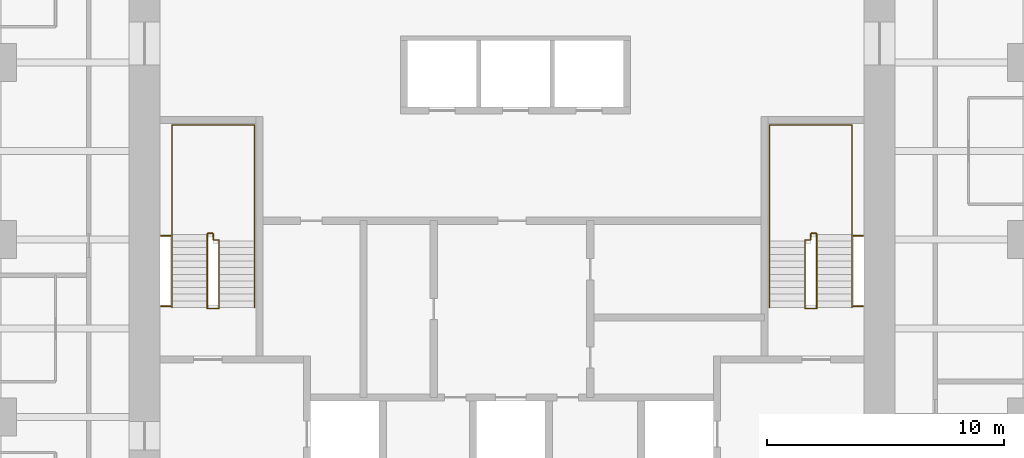
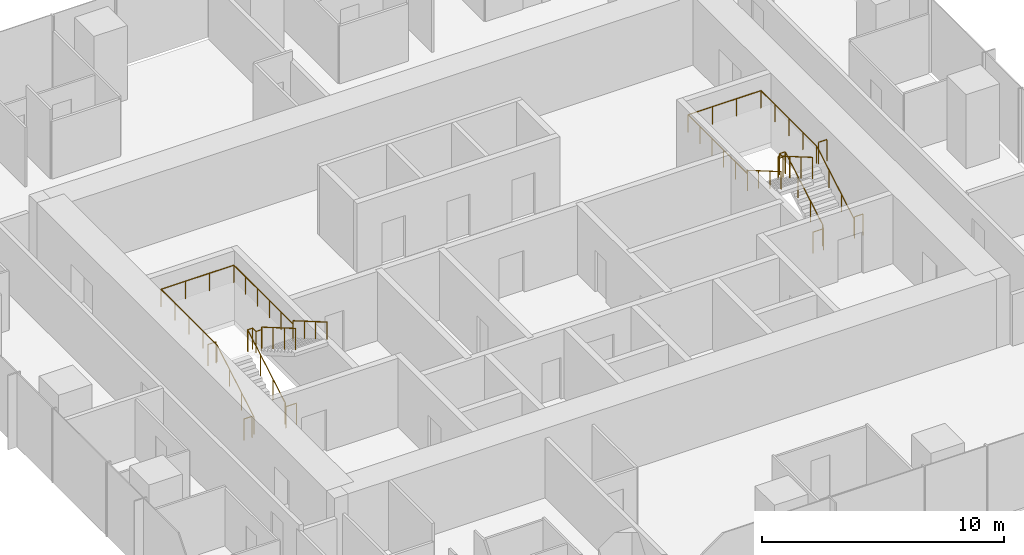
# One storey, part 12 of 12: 8 railings.
"""IFC4 building model written with IfcOpenShell, lengths in metres."""

from ifc_helpers import new_model, si_unit, direction, frame, origin, origin_2d, place, context, subcontext, project, spatial, circle, extrude, material, type_object, element, save


model = new_model("IFC4")

# Units and contexts
model_context = context("Model", 3, precision=1e-05, world=origin(), true_north=direction((0.0, 1.0)))
body_context = subcontext(model_context, "Body", "Model", "MODEL_VIEW")
ifc_project = project(units=[si_unit("LENGTHUNIT", "METRE"), si_unit("AREAUNIT", "SQUARE_METRE"), si_unit("VOLUMEUNIT", "CUBIC_METRE"), si_unit("PLANEANGLEUNIT", "RADIAN"), si_unit("MASSUNIT", "GRAM", prefix="KILO")], contexts=[model_context])

# Site, building, storey
site_placement = place(None, origin())
site = spatial("IfcSite", under=ifc_project, at=site_placement, CompositionType="ELEMENT")
building_placement = place(site_placement, origin())
building = spatial("IfcBuilding", under=site, at=building_placement, Name="Khuree Lantern Residences", CompositionType="ELEMENT")
storey_placement = place(building_placement, frame((0.0, 0.0, 334.5)))
storey = spatial("IfcBuildingStorey", under=building, at=storey_placement, Name="L84", CompositionType="ELEMENT", Elevation=334.5)

# Railings
ifc_material = material(Name="Steel S355", Category="steel")
railing_type_1 = type_object("IfcRailingType", Name="STAIR GUARD G1 1100", PredefinedType="GUARDRAIL", material=ifc_material)
railing_1_placement = place(storey_placement, frame((-12.35009765625, -2.909912109375, 0.0)))
element("IfcRailing", 1, at=railing_1_placement, inside=storey, type_object=railing_type_1, Name="Stair ST1 guard", PredefinedType="GUARDRAIL", context=body_context, shape_type="SweptSolid", body=[
    extrude(circle(Radius=0.02392578125, at=origin_2d()), frame((0.0, 0.0, 1.076171875), z_axis=(-1.0, 0.0, 0.0), x_axis=(0.0, -1.0, 0.0)), (0.0, 0.0, 1.0), 0.5),
    extrude(circle(Radius=0.02392578125, at=origin_2d()), frame((-0.5, 0.0, 1.076171875), z_axis=(0.0, 0.292073035251, 0.95639601739), x_axis=(-1.0, 0.0, 0.0)), (0.0, 0.0, 1.0), 0.17041015625),
    extrude(circle(Radius=0.02392578125, at=origin_2d()), frame((-0.5, 0.0498046875, 1.2392578125), z_axis=(0.0, 0.864176135923, 0.503189433615), x_axis=(-1.0, 0.0, 0.0)), (0.0, 0.0, 1.0), 3.564208984375),
    extrude(circle(Radius=0.02392578125, at=origin_2d()), frame((-0.5, 3.1298828125, 3.03271484375), z_axis=(0.0, 1.0, 0.0), x_axis=(-1.0, 0.0, 0.0)), (0.0, 0.0, 1.0), 0.050048828125),
    extrude(circle(Radius=0.02392578125, at=origin_2d()), frame((-0.5, 3.179931640625, 3.03271484375), z_axis=(1.0, 0.0, 0.0), x_axis=(0.0, 1.0, 0.0)), (0.0, 0.0, 1.0), 0.25),
    extrude(circle(Radius=0.02392578125, at=origin_2d()), frame((-0.25, 3.179931640625, 3.03271484375), z_axis=(0.0, -1.0, 0.0), x_axis=(1.0, 0.0, 0.0)), (0.0, 0.0, 1.0), 0.280029296875),
    extrude(circle(Radius=0.02392578125, at=origin_2d()), frame((-0.25, 2.89990234375, 3.03271484375), z_axis=(1.0, 0.0, 0.0), x_axis=(0.0, 1.0, 0.0)), (0.0, 0.0, 1.0), 0.25),
    extrude(circle(Radius=0.02392578125, at=origin_2d()), frame((0.0, 2.89990234375, 3.03271484375), z_axis=(0.0, -0.293381807449, 0.955995353053), x_axis=(1.0, 0.0, 0.0)), (0.0, 0.0, 1.0), 0.170654296875),
    extrude(circle(Radius=0.02392578125, at=origin_2d()), frame((0.0, 2.849853515625, 3.19580078125), z_axis=(0.0, -0.864180358799, 0.503182181189), x_axis=(1.0, 0.0, 0.0)), (0.0, 0.0, 1.0), 3.240234375),
    extrude(circle(Radius=0.02099609375, at=origin_2d()), origin(), (0.0, 0.0, 1.0), 1.052001953125),
    extrude(circle(Radius=0.02099609375, at=origin_2d()), frame((-0.5, 0.0, 0.0)), (0.0, 0.0, 1.0), 1.052001953125),
    extrude(circle(Radius=0.02099609375, at=origin_2d()), frame((-0.5, 0.0498046875, 0.1630859375)), (0.0, 0.0, 1.0), 1.052001953125),
    extrude(circle(Radius=0.02099609375, at=origin_2d()), frame((-0.5, 1.076416015625, 0.760986328125)), (0.0, 0.0, 1.0), 1.052001953125),
    extrude(circle(Radius=0.02099609375, at=origin_2d()), frame((-0.5, 2.103271484375, 1.358642578125)), (0.0, 0.0, 1.0), 1.052001953125),
    extrude(circle(Radius=0.02099609375, at=origin_2d()), frame((-0.5, 3.1298828125, 1.95654296875)), (0.0, 0.0, 1.0), 1.052001953125),
    extrude(circle(Radius=0.02099609375, at=origin_2d()), frame((-0.5, 3.179931640625, 1.95654296875)), (0.0, 0.0, 1.0), 1.052001953125),
    extrude(circle(Radius=0.02099609375, at=origin_2d()), frame((-0.25, 3.179931640625, 1.95654296875)), (0.0, 0.0, 1.0), 1.052001953125),
    extrude(circle(Radius=0.02099609375, at=origin_2d()), frame((-0.25, 2.89990234375, 1.95654296875)), (0.0, 0.0, 1.0), 1.052001953125),
    extrude(circle(Radius=0.02099609375, at=origin_2d()), frame((0.0, 2.89990234375, 1.95654296875)), (0.0, 0.0, 1.0), 1.052001953125),
    extrude(circle(Radius=0.02099609375, at=origin_2d()), frame((0.0, 2.849853515625, 2.11962890625)), (0.0, 0.0, 1.0), 1.052001953125),
    extrude(circle(Radius=0.02099609375, at=origin_2d()), frame((0.0, 1.91650390625, 2.6630859375)), (0.0, 0.0, 1.0), 1.052001953125),
    extrude(circle(Radius=0.02099609375, at=origin_2d()), frame((0.0, 0.983154296875, 3.20654296875)), (0.0, 0.0, 1.0), 1.052001953125),
    extrude(circle(Radius=0.02099609375, at=origin_2d()), frame((0.0, 0.0498046875, 3.75)), (0.0, 0.0, 1.0), 1.052001953125),
])
for number, where, name in (
    (2, (-14.800048828125, -2.81005859375, 0.0), "Stair ST1 landing slot guard"),
    (3, (-14.800048828125, 0.169921875, 1.95654296875), "Stair ST1 landing slot guard"),
):
    element("IfcRailing", number, at=place(storey_placement, frame(where)), inside=storey, type_object=railing_type_1, Name=name, PredefinedType="GUARDRAIL", context=body_context, shape_type="SweptSolid", body=[
        extrude(circle(Radius=0.02392578125, at=origin_2d()), frame((0.0, 0.0, 1.076171875), z_axis=(1.0, 0.0, 0.0), x_axis=(0.0, 1.0, 0.0)), (0.0, 0.0, 1.0), 0.400146484375),
        extrude(circle(Radius=0.02099609375, at=origin_2d()), origin(), (0.0, 0.0, 1.0), 1.052001953125),
        extrude(circle(Radius=0.02099609375, at=origin_2d()), frame((0.400146484375, 0.0, 0.0)), (0.0, 0.0, 1.0), 1.052001953125),
    ])
railing_2_placement = place(storey_placement, frame((12.35009765625, -2.909912109375, 0.0)))
element("IfcRailing", 4, at=railing_2_placement, inside=storey, type_object=railing_type_1, Name="Stair ST2 guard", PredefinedType="GUARDRAIL", context=body_context, shape_type="SweptSolid", body=[
    extrude(circle(Radius=0.02392578125, at=origin_2d()), frame((0.0, 0.0, 1.076171875), z_axis=(1.0, 0.0, 0.0), x_axis=(0.0, 1.0, 0.0)), (0.0, 0.0, 1.0), 0.5),
    extrude(circle(Radius=0.02392578125, at=origin_2d()), frame((0.5, 0.0, 1.076171875), z_axis=(0.0, 0.292073035251, 0.95639601739), x_axis=(-1.0, 0.0, 0.0)), (0.0, 0.0, 1.0), 0.17041015625),
    extrude(circle(Radius=0.02392578125, at=origin_2d()), frame((0.5, 0.0498046875, 1.2392578125), z_axis=(0.0, 0.864176135923, 0.503189433615), x_axis=(-1.0, 0.0, 0.0)), (0.0, 0.0, 1.0), 3.564208984375),
    extrude(circle(Radius=0.02392578125, at=origin_2d()), frame((0.5, 3.1298828125, 3.03271484375), z_axis=(0.0, 1.0, 0.0), x_axis=(-1.0, 0.0, 0.0)), (0.0, 0.0, 1.0), 0.050048828125),
    extrude(circle(Radius=0.02392578125, at=origin_2d()), frame((0.5, 3.179931640625, 3.03271484375), z_axis=(-1.0, 0.0, 0.0), x_axis=(0.0, -1.0, 0.0)), (0.0, 0.0, 1.0), 0.25),
    extrude(circle(Radius=0.02392578125, at=origin_2d()), frame((0.25, 3.179931640625, 3.03271484375), z_axis=(0.0, -1.0, 0.0), x_axis=(1.0, 0.0, 0.0)), (0.0, 0.0, 1.0), 0.280029296875),
    extrude(circle(Radius=0.02392578125, at=origin_2d()), frame((0.25, 2.89990234375, 3.03271484375), z_axis=(-1.0, 0.0, 0.0), x_axis=(0.0, -1.0, 0.0)), (0.0, 0.0, 1.0), 0.25),
    extrude(circle(Radius=0.02392578125, at=origin_2d()), frame((0.0, 2.89990234375, 3.03271484375), z_axis=(0.0, -0.293381807449, 0.955995353053), x_axis=(1.0, 0.0, 0.0)), (0.0, 0.0, 1.0), 0.170654296875),
    extrude(circle(Radius=0.02392578125, at=origin_2d()), frame((0.0, 2.849853515625, 3.19580078125), z_axis=(0.0, -0.864180358799, 0.503182181189), x_axis=(1.0, 0.0, 0.0)), (0.0, 0.0, 1.0), 3.240234375),
    extrude(circle(Radius=0.02099609375, at=origin_2d()), origin(), (0.0, 0.0, 1.0), 1.052001953125),
    extrude(circle(Radius=0.02099609375, at=origin_2d()), frame((0.5, 0.0, 0.0)), (0.0, 0.0, 1.0), 1.052001953125),
    extrude(circle(Radius=0.02099609375, at=origin_2d()), frame((0.5, 0.0498046875, 0.1630859375)), (0.0, 0.0, 1.0), 1.052001953125),
    extrude(circle(Radius=0.02099609375, at=origin_2d()), frame((0.5, 1.076416015625, 0.760986328125)), (0.0, 0.0, 1.0), 1.052001953125),
    extrude(circle(Radius=0.02099609375, at=origin_2d()), frame((0.5, 2.103271484375, 1.358642578125)), (0.0, 0.0, 1.0), 1.052001953125),
    extrude(circle(Radius=0.02099609375, at=origin_2d()), frame((0.5, 3.1298828125, 1.95654296875)), (0.0, 0.0, 1.0), 1.052001953125),
    extrude(circle(Radius=0.02099609375, at=origin_2d()), frame((0.5, 3.179931640625, 1.95654296875)), (0.0, 0.0, 1.0), 1.052001953125),
    extrude(circle(Radius=0.02099609375, at=origin_2d()), frame((0.25, 3.179931640625, 1.95654296875)), (0.0, 0.0, 1.0), 1.052001953125),
    extrude(circle(Radius=0.02099609375, at=origin_2d()), frame((0.25, 2.89990234375, 1.95654296875)), (0.0, 0.0, 1.0), 1.052001953125),
    extrude(circle(Radius=0.02099609375, at=origin_2d()), frame((0.0, 2.89990234375, 1.95654296875)), (0.0, 0.0, 1.0), 1.052001953125),
    extrude(circle(Radius=0.02099609375, at=origin_2d()), frame((0.0, 2.849853515625, 2.11962890625)), (0.0, 0.0, 1.0), 1.052001953125),
    extrude(circle(Radius=0.02099609375, at=origin_2d()), frame((0.0, 1.91650390625, 2.6630859375)), (0.0, 0.0, 1.0), 1.052001953125),
    extrude(circle(Radius=0.02099609375, at=origin_2d()), frame((0.0, 0.983154296875, 3.20654296875)), (0.0, 0.0, 1.0), 1.052001953125),
    extrude(circle(Radius=0.02099609375, at=origin_2d()), frame((0.0, 0.0498046875, 3.75)), (0.0, 0.0, 1.0), 1.052001953125),
])
for number, where, name in (
    (5, (14.800048828125, -2.81005859375, 0.0), "Stair ST2 landing slot guard"),
    (6, (14.800048828125, 0.169921875, 1.95654296875), "Stair ST2 landing slot guard"),
):
    element("IfcRailing", number, at=place(storey_placement, frame(where)), inside=storey, type_object=railing_type_1, Name=name, PredefinedType="GUARDRAIL", context=body_context, shape_type="SweptSolid", body=[
        extrude(circle(Radius=0.02392578125, at=origin_2d()), frame((0.0, 0.0, 1.076171875), z_axis=(-1.0, 0.0, 0.0), x_axis=(0.0, -1.0, 0.0)), (0.0, 0.0, 1.0), 0.400146484375),
        extrude(circle(Radius=0.02099609375, at=origin_2d()), origin(), (0.0, 0.0, 1.0), 1.052001953125),
        extrude(circle(Radius=0.02099609375, at=origin_2d()), frame((-0.400146484375, 0.0, 0.0)), (0.0, 0.0, 1.0), 1.052001953125),
    ])
railing_type_2 = type_object("IfcRailingType", Name="STAIR HANDRAIL H1 900", PredefinedType="HANDRAIL", material=ifc_material)
railing_3_placement = place(storey_placement, frame((-14.340087890625, -2.860107421875, 0.1630859375)))
element("IfcRailing", 7, at=railing_3_placement, inside=storey, type_object=railing_type_2, Name="Stair ST1 handrail", PredefinedType="HANDRAIL", context=body_context, shape_type="SweptSolid", body=[
    extrude(circle(Radius=0.02392578125, at=origin_2d()), frame((0.0, 0.0, 0.8759765625), z_axis=(0.0, 0.864176135923, 0.503189433615), x_axis=(-1.0, 0.0, 0.0)), (0.0, 0.0, 1.0), 3.564208984375),
    extrude(circle(Radius=0.02392578125, at=origin_2d()), frame((0.0, 3.080078125, 2.66943359375), z_axis=(0.0, 1.0, 0.0), x_axis=(-1.0, 0.0, 0.0)), (0.0, 0.0, 1.0), 4.6201171875),
    extrude(circle(Radius=0.02392578125, at=origin_2d()), frame((0.0, 7.7001953125, 2.66943359375), z_axis=(1.0, 0.0, 0.0), x_axis=(0.0, 1.0, 0.0)), (0.0, 0.0, 1.0), 3.47998046875),
    extrude(circle(Radius=0.02392578125, at=origin_2d()), frame((3.47998046875, 7.7001953125, 2.66943359375), z_axis=(0.0, -1.0, 0.0), x_axis=(1.0, 0.0, 0.0)), (0.0, 0.0, 1.0), 4.900146484375),
    extrude(circle(Radius=0.02392578125, at=origin_2d()), frame((3.47998046875, 2.800048828125, 2.66943359375), z_axis=(0.0, 0.0, 1.0), x_axis=(1.0, 0.0, 0.0)), (0.0, 0.0, 1.0), 0.1630859375),
    extrude(circle(Radius=0.02392578125, at=origin_2d()), frame((3.47998046875, 2.800048828125, 2.83251953125), z_axis=(0.0, -0.864180358799, 0.503182181189), x_axis=(1.0, 0.0, 0.0)), (0.0, 0.0, 1.0), 3.240234375),
    extrude(circle(Radius=0.02099609375, at=origin_2d()), origin(), (0.0, 0.0, 1.0), 0.851806640625),
    extrude(circle(Radius=0.02099609375, at=origin_2d()), frame((0.0, 1.026611328125, 0.597900390625)), (0.0, 0.0, 1.0), 0.851806640625),
    extrude(circle(Radius=0.02099609375, at=origin_2d()), frame((0.0, 2.053466796875, 1.195556640625)), (0.0, 0.0, 1.0), 0.851806640625),
    extrude(circle(Radius=0.02099609375, at=origin_2d()), frame((0.0, 3.080078125, 1.79345703125)), (0.0, 0.0, 1.0), 0.851806640625),
    extrude(circle(Radius=0.02099609375, at=origin_2d()), frame((0.0, 4.235107421875, 1.79345703125)), (0.0, 0.0, 1.0), 0.851806640625),
    extrude(circle(Radius=0.02099609375, at=origin_2d()), frame((0.0, 5.39013671875, 1.79345703125)), (0.0, 0.0, 1.0), 0.851806640625),
    extrude(circle(Radius=0.02099609375, at=origin_2d()), frame((0.0, 6.545166015625, 1.79345703125)), (0.0, 0.0, 1.0), 0.851806640625),
    extrude(circle(Radius=0.02099609375, at=origin_2d()), frame((0.0, 7.7001953125, 1.79345703125)), (0.0, 0.0, 1.0), 0.851806640625),
    extrude(circle(Radius=0.02099609375, at=origin_2d()), frame((1.159912109375, 7.7001953125, 1.79345703125)), (0.0, 0.0, 1.0), 0.851806640625),
    extrude(circle(Radius=0.02099609375, at=origin_2d()), frame((2.320068359375, 7.7001953125, 1.79345703125)), (0.0, 0.0, 1.0), 0.851806640625),
    extrude(circle(Radius=0.02099609375, at=origin_2d()), frame((3.47998046875, 7.7001953125, 1.79345703125)), (0.0, 0.0, 1.0), 0.851806640625),
    extrude(circle(Radius=0.02099609375, at=origin_2d()), frame((3.47998046875, 6.72021484375, 1.79345703125)), (0.0, 0.0, 1.0), 0.851806640625),
    extrude(circle(Radius=0.02099609375, at=origin_2d()), frame((3.47998046875, 5.740234375, 1.79345703125)), (0.0, 0.0, 1.0), 0.851806640625),
    extrude(circle(Radius=0.02099609375, at=origin_2d()), frame((3.47998046875, 4.760009765625, 1.79345703125)), (0.0, 0.0, 1.0), 0.851806640625),
    extrude(circle(Radius=0.02099609375, at=origin_2d()), frame((3.47998046875, 3.780029296875, 1.79345703125)), (0.0, 0.0, 1.0), 0.851806640625),
    extrude(circle(Radius=0.02099609375, at=origin_2d()), frame((3.47998046875, 2.800048828125, 1.79345703125)), (0.0, 0.0, 1.0), 0.851806640625),
    extrude(circle(Radius=0.02099609375, at=origin_2d()), frame((3.47998046875, 2.800048828125, 1.95654296875)), (0.0, 0.0, 1.0), 0.851806640625),
    extrude(circle(Radius=0.02099609375, at=origin_2d()), frame((3.47998046875, 1.86669921875, 2.5)), (0.0, 0.0, 1.0), 0.851806640625),
    extrude(circle(Radius=0.02099609375, at=origin_2d()), frame((3.47998046875, 0.933349609375, 3.04345703125)), (0.0, 0.0, 1.0), 0.851806640625),
    extrude(circle(Radius=0.02099609375, at=origin_2d()), frame((3.47998046875, 0.0, 3.5869140625)), (0.0, 0.0, 1.0), 0.851806640625),
])
railing_4_placement = place(storey_placement, frame((14.340087890625, -2.860107421875, 0.1630859375)))
element("IfcRailing", 8, at=railing_4_placement, inside=storey, type_object=railing_type_2, Name="Stair ST2 handrail", PredefinedType="HANDRAIL", context=body_context, shape_type="SweptSolid", body=[
    extrude(circle(Radius=0.02392578125, at=origin_2d()), frame((0.0, 0.0, 0.8759765625), z_axis=(0.0, 0.864176135923, 0.503189433615), x_axis=(-1.0, 0.0, 0.0)), (0.0, 0.0, 1.0), 3.564208984375),
    extrude(circle(Radius=0.02392578125, at=origin_2d()), frame((0.0, 3.080078125, 2.66943359375), z_axis=(0.0, 1.0, 0.0), x_axis=(-1.0, 0.0, 0.0)), (0.0, 0.0, 1.0), 4.6201171875),
    extrude(circle(Radius=0.02392578125, at=origin_2d()), frame((0.0, 7.7001953125, 2.66943359375), z_axis=(-1.0, 0.0, 0.0), x_axis=(0.0, -1.0, 0.0)), (0.0, 0.0, 1.0), 3.47998046875),
    extrude(circle(Radius=0.02392578125, at=origin_2d()), frame((-3.47998046875, 7.7001953125, 2.66943359375), z_axis=(0.0, -1.0, 0.0), x_axis=(1.0, 0.0, 0.0)), (0.0, 0.0, 1.0), 4.900146484375),
    extrude(circle(Radius=0.02392578125, at=origin_2d()), frame((-3.47998046875, 2.800048828125, 2.66943359375), z_axis=(0.0, 0.0, 1.0), x_axis=(1.0, 0.0, 0.0)), (0.0, 0.0, 1.0), 0.1630859375),
    extrude(circle(Radius=0.02392578125, at=origin_2d()), frame((-3.47998046875, 2.800048828125, 2.83251953125), z_axis=(0.0, -0.864180358799, 0.503182181189), x_axis=(1.0, 0.0, 0.0)), (0.0, 0.0, 1.0), 3.240234375),
    extrude(circle(Radius=0.02099609375, at=origin_2d()), origin(), (0.0, 0.0, 1.0), 0.851806640625),
    extrude(circle(Radius=0.02099609375, at=origin_2d()), frame((0.0, 1.026611328125, 0.597900390625)), (0.0, 0.0, 1.0), 0.851806640625),
    extrude(circle(Radius=0.02099609375, at=origin_2d()), frame((0.0, 2.053466796875, 1.195556640625)), (0.0, 0.0, 1.0), 0.851806640625),
    extrude(circle(Radius=0.02099609375, at=origin_2d()), frame((0.0, 3.080078125, 1.79345703125)), (0.0, 0.0, 1.0), 0.851806640625),
    extrude(circle(Radius=0.02099609375, at=origin_2d()), frame((0.0, 4.235107421875, 1.79345703125)), (0.0, 0.0, 1.0), 0.851806640625),
    extrude(circle(Radius=0.02099609375, at=origin_2d()), frame((0.0, 5.39013671875, 1.79345703125)), (0.0, 0.0, 1.0), 0.851806640625),
    extrude(circle(Radius=0.02099609375, at=origin_2d()), frame((0.0, 6.545166015625, 1.79345703125)), (0.0, 0.0, 1.0), 0.851806640625),
    extrude(circle(Radius=0.02099609375, at=origin_2d()), frame((0.0, 7.7001953125, 1.79345703125)), (0.0, 0.0, 1.0), 0.851806640625),
    extrude(circle(Radius=0.02099609375, at=origin_2d()), frame((-1.159912109375, 7.7001953125, 1.79345703125)), (0.0, 0.0, 1.0), 0.851806640625),
    extrude(circle(Radius=0.02099609375, at=origin_2d()), frame((-2.320068359375, 7.7001953125, 1.79345703125)), (0.0, 0.0, 1.0), 0.851806640625),
    extrude(circle(Radius=0.02099609375, at=origin_2d()), frame((-3.47998046875, 7.7001953125, 1.79345703125)), (0.0, 0.0, 1.0), 0.851806640625),
    extrude(circle(Radius=0.02099609375, at=origin_2d()), frame((-3.47998046875, 6.72021484375, 1.79345703125)), (0.0, 0.0, 1.0), 0.851806640625),
    extrude(circle(Radius=0.02099609375, at=origin_2d()), frame((-3.47998046875, 5.740234375, 1.79345703125)), (0.0, 0.0, 1.0), 0.851806640625),
    extrude(circle(Radius=0.02099609375, at=origin_2d()), frame((-3.47998046875, 4.760009765625, 1.79345703125)), (0.0, 0.0, 1.0), 0.851806640625),
    extrude(circle(Radius=0.02099609375, at=origin_2d()), frame((-3.47998046875, 3.780029296875, 1.79345703125)), (0.0, 0.0, 1.0), 0.851806640625),
    extrude(circle(Radius=0.02099609375, at=origin_2d()), frame((-3.47998046875, 2.800048828125, 1.79345703125)), (0.0, 0.0, 1.0), 0.851806640625),
    extrude(circle(Radius=0.02099609375, at=origin_2d()), frame((-3.47998046875, 2.800048828125, 1.95654296875)), (0.0, 0.0, 1.0), 0.851806640625),
    extrude(circle(Radius=0.02099609375, at=origin_2d()), frame((-3.47998046875, 1.86669921875, 2.5)), (0.0, 0.0, 1.0), 0.851806640625),
    extrude(circle(Radius=0.02099609375, at=origin_2d()), frame((-3.47998046875, 0.933349609375, 3.04345703125)), (0.0, 0.0, 1.0), 0.851806640625),
    extrude(circle(Radius=0.02099609375, at=origin_2d()), frame((-3.47998046875, 0.0, 3.5869140625)), (0.0, 0.0, 1.0), 0.851806640625),
])

save(model, "model.ifc")
